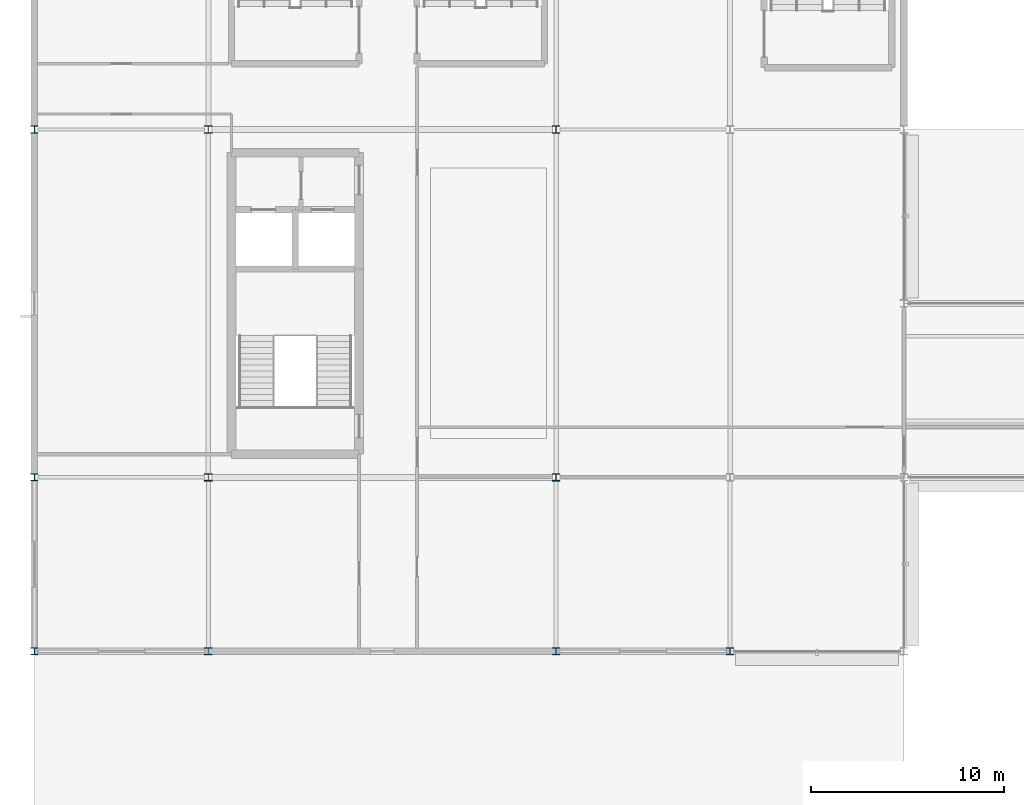
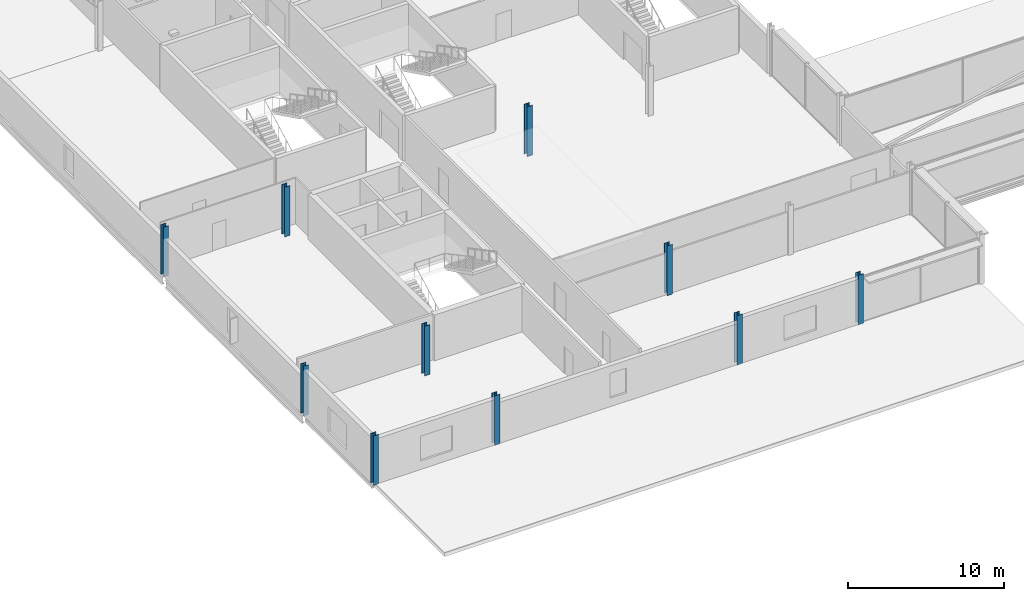
# One storey, part 1 of 105: 10 columns.
"""IFC4 building model written with IfcOpenShell, lengths in metres."""

from ifc_helpers import new_model, si_unit, direction, frame, origin, origin_2d, place, context, subcontext, project, spatial, i_section, extrude, material, material_profile, profile_set, type_object, element, save


model = new_model("IFC4")

# Units and contexts
model_context = context("Model", 3, precision=1e-05, world=origin(), true_north=direction((0.0, 1.0)))
body_context = subcontext(model_context, "Body", "Model", "MODEL_VIEW")
ifc_project = project(units=[si_unit("LENGTHUNIT", "METRE"), si_unit("AREAUNIT", "SQUARE_METRE"), si_unit("VOLUMEUNIT", "CUBIC_METRE"), si_unit("PLANEANGLEUNIT", "RADIAN"), si_unit("MASSUNIT", "GRAM", prefix="KILO")], contexts=[model_context])

# Site, building, storey
site_placement = place(None, origin())
site = spatial("IfcSite", under=ifc_project, at=site_placement, CompositionType="ELEMENT")
building_placement = place(site_placement, origin())
building = spatial("IfcBuilding", under=site, at=building_placement, Name="Kisiwana Market Hall", CompositionType="ELEMENT")
storey_placement = place(building_placement, frame((0.0, 0.0, 21.60009765625)))
storey = spatial("IfcBuildingStorey", under=building, at=storey_placement, Name="L04", CompositionType="ELEMENT", Elevation=21.60009765625)

# Columns
ifc_material_1 = material(Name="Steel S355", Category="steel")
ifc_material_profile_1 = material_profile(ifc_material_1, i_section(OverallWidth=0.37255859375, OverallDepth=0.3681640625, WebThickness=0.014404296875, FlangeThickness=0.023681640625, FilletRadius=0.01513671875, at=origin_2d()), Name="UC 356x368x177")
ifc_profile_set_1 = profile_set([ifc_material_profile_1], Name="Steel S355")
column_type_1 = type_object("IfcColumnType", Name="COL-STL-UC177", PredefinedType="COLUMN", material=ifc_profile_set_1)
for number, where, z_axis, x_axis, name in (
    (1, (0.0, 9.0, 0.0), (0.0, 0.0, 1.0), (1.0, 0.0, 0.0), "Column B/1 (L04) C-0788"),
    (2, (0.0, 18.0, 0.0), (0.0, 0.0, 1.0), (1.0, 0.0, 0.0), "Column C/1 (L04) C-0789"),
    (3, (0.0, 36.0, 0.0), (0.0, 0.0, 1.0), (1.0, 0.0, 0.0), "Column E/1 (L04) C-0790"),
    (4, (36.0, 9.0, 0.0), (0.0, 0.0, 1.0), (1.0, 0.0, 0.0), "Column B/5 (L04) C-0808"),
):
    element("IfcColumn", number, at=place(storey_placement, frame(where, z_axis=z_axis, x_axis=x_axis)), inside=storey, type_object=column_type_1, Name=name, PredefinedType="COLUMN", context=body_context, shape_type="SweptSolid", body=[
        extrude(i_section(OverallWidth=0.37255859375, OverallDepth=0.3681640625, WebThickness=0.014404296875, FlangeThickness=0.023681640625, FilletRadius=0.01513671875, at=origin_2d()), origin(), (0.0, 0.0, 1.0), 3.89990234375),
    ])
ifc_material_2 = material(Name="Steel S355", Category="steel")
ifc_material_profile_2 = material_profile(ifc_material_2, i_section(OverallWidth=0.394775390625, OverallDepth=0.381103515625, WebThickness=0.018310546875, FlangeThickness=0.0302734375, at=origin_2d()), Name="UC 356x406x235")
ifc_profile_set_2 = profile_set([ifc_material_profile_2], Name="Steel S355")
column_type_2 = type_object("IfcColumnType", Name="COL-STL-UC235", PredefinedType="COLUMN", material=ifc_profile_set_2)
for number, where, z_axis, x_axis, name in (
    (5, (9.0, 9.0, 0.0), (0.0, 0.0, 1.0), (1.0, 0.0, 0.0), "Column B/2 (L04) C-0795"),
    (6, (9.0, 18.0, 0.0), (0.0, 0.0, 1.0), (1.0, 0.0, 0.0), "Column C/2 (L04) C-0796"),
    (7, (9.0, 36.0, 0.0), (0.0, 0.0, 1.0), (1.0, 0.0, 0.0), "Column E/2 (L04) C-0797"),
    (8, (27.0, 9.0, 0.0), (0.0, 0.0, 1.0), (1.0, 0.0, 0.0), "Column B/4 (L04) C-0801"),
    (9, (27.0, 18.0, 0.0), (0.0, 0.0, 1.0), (1.0, 0.0, 0.0), "Column C/4 (L04) C-0802"),
    (10, (27.0, 36.0, 0.0), (0.0, 0.0, 1.0), (1.0, 0.0, 0.0), "Column E/4 (L04) C-0803"),
):
    element("IfcColumn", number, at=place(storey_placement, frame(where, z_axis=z_axis, x_axis=x_axis)), inside=storey, type_object=column_type_2, Name=name, PredefinedType="COLUMN", context=body_context, shape_type="SweptSolid", body=[
        extrude(i_section(OverallWidth=0.394775390625, OverallDepth=0.381103515625, WebThickness=0.018310546875, FlangeThickness=0.0302734375, at=origin_2d()), origin(), (0.0, 0.0, 1.0), 3.89990234375),
    ])

save(model, "model.ifc")
